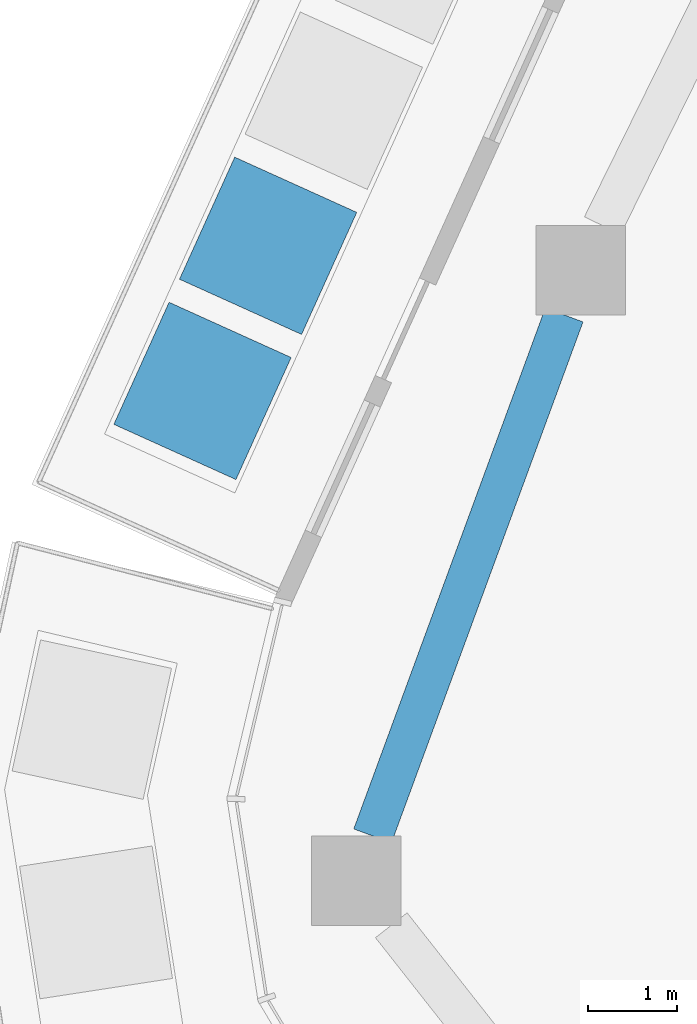
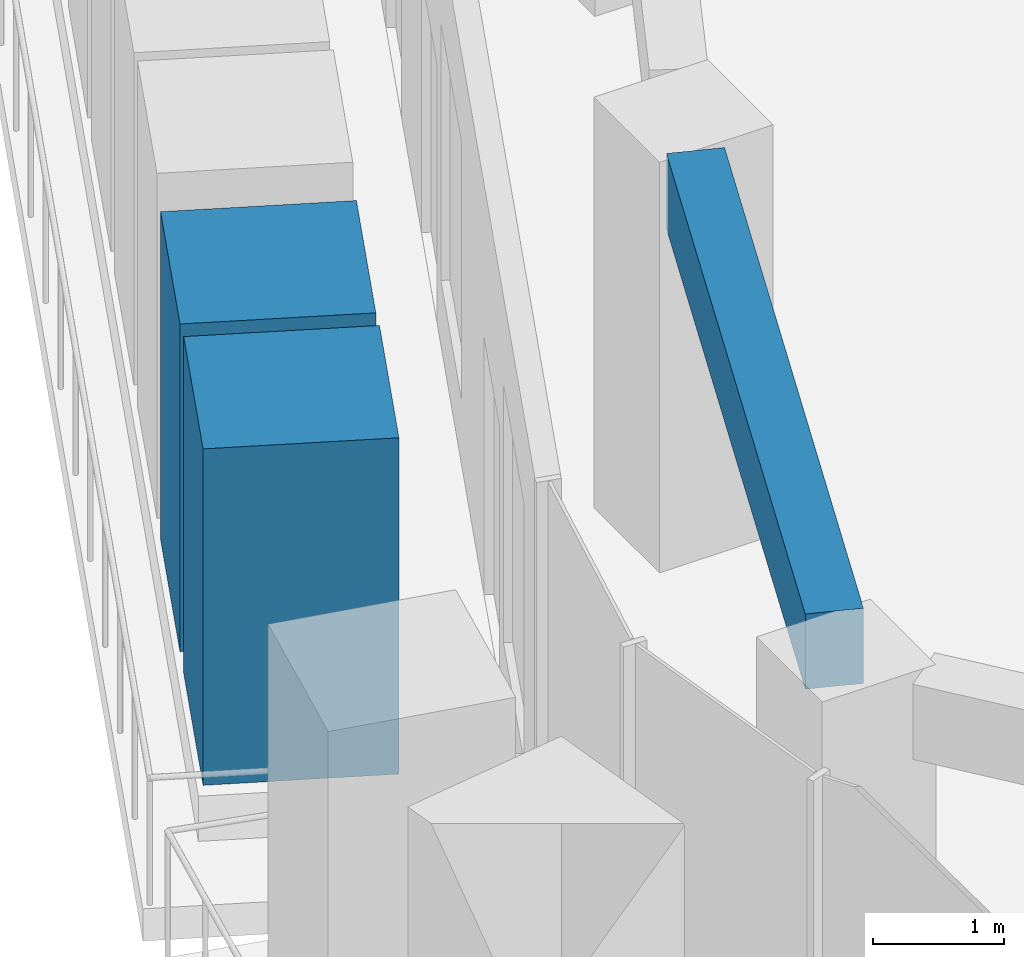
# One storey, part 3 of 23: 2 members, 1 beam.
"""IFC4 building model written with IfcOpenShell, lengths in metres."""

from ifc_helpers import new_model, si_unit, direction, frame, origin, origin_2d, place, context, subcontext, project, spatial, rectangle, extrude, material, material_profile, profile_set, type_object, element, save


model = new_model("IFC4")

# Units and contexts
model_context = context("Model", 3, precision=1e-05, world=origin(), true_north=direction((0.0, 1.0)))
body_context = subcontext(model_context, "Body", "Model", "MODEL_VIEW")
ifc_project = project(units=[si_unit("LENGTHUNIT", "METRE"), si_unit("AREAUNIT", "SQUARE_METRE"), si_unit("VOLUMEUNIT", "CUBIC_METRE"), si_unit("PLANEANGLEUNIT", "RADIAN"), si_unit("MASSUNIT", "GRAM", prefix="KILO")], contexts=[model_context])

# Site, building, storey
site_placement = place(None, origin())
site = spatial("IfcSite", under=ifc_project, at=site_placement, CompositionType="ELEMENT")
building_placement = place(site_placement, origin())
building = spatial("IfcBuilding", under=site, at=building_placement, Name="Dongbaek Canopy Tower", CompositionType="ELEMENT")
storey_placement = place(building_placement, frame((0.0, 0.0, 327.800048828125)))
storey = spatial("IfcBuildingStorey", under=building, at=storey_placement, Name="L70", CompositionType="ELEMENT", Elevation=327.800048828125)

# Beam
ifc_material_1 = material(Name="Concrete C60", Category="concrete")
ifc_material_profile_1 = material_profile(ifc_material_1, rectangle(XDim=0.449951171875, YDim=0.699951171875, at=origin_2d()), Name="RC EDGE BEAM 450x700 C60")
ifc_profile_set_1 = profile_set([ifc_material_profile_1], Name="Concrete C60")
beam_type = type_object("IfcBeamType", Name="RC EDGE BEAM 450x700 C60", PredefinedType="BEAM", material=ifc_profile_set_1)
beam_placement = place(storey_placement, frame((-30.945068359375, -6.2451171875, 3.469970703125), z_axis=(0.345138950659, 0.938551599401, 0.0), x_axis=(-0.938551599401, 0.345138950659, 0.0)))
element("IfcBeam", 1, at=beam_placement, inside=storey, type_object=beam_type, Name="EDGEBEAM:L70:08", PredefinedType="BEAM", context=body_context, shape_type="SweptSolid", body=[
    extrude(rectangle(XDim=0.449951171875, YDim=0.699951171875, at=origin_2d()), origin(), (0.0, 0.0, 1.0), 6.212890625),
])

# Members
ifc_material_2 = material(Name="Concrete C40/50 planter mass with planting", Category="concrete")
ifc_material_profile_2 = material_profile(ifc_material_2, rectangle(XDim=1.5, YDim=1.5, at=origin_2d()), Name="Terrace PLANTER shrub mass 1500 x 1500")
ifc_profile_set_2 = profile_set([ifc_material_profile_2], Name="Concrete C40/50 planter mass with planting")
member_type = type_object("IfcMemberType", Name="Terrace PLANTER shrub mass 1500 x 1500", PredefinedType="USERDEFINED", material=ifc_profile_set_2)
member_1_placement = place(storey_placement, frame((-32.1142578125, 0.35986328125, 0.419921875), z_axis=(0.0, 0.0, 1.0), x_axis=(-0.911128562459, 0.412122242389, 0.0)))
element("IfcMember", 2, at=member_1_placement, inside=storey, type_object=member_type, Name="Planter shrubs L70 2.11", ObjectType="PLANTER", PredefinedType="USERDEFINED", context=body_context, shape_type="SweptSolid", body=[
    extrude(rectangle(XDim=1.5, YDim=1.5, at=origin_2d()), origin(), (0.0, 0.0, 1.0), 3.050048828125),
])
member_2_placement = place(storey_placement, frame((-32.848876953125, -1.264404296875, 0.419921875), z_axis=(0.0, 0.0, 1.0), x_axis=(-0.911128562459, 0.412122242389, 0.0)))
element("IfcMember", 3, at=member_2_placement, inside=storey, type_object=member_type, Name="Planter shrubs L70 2.12", ObjectType="PLANTER", PredefinedType="USERDEFINED", context=body_context, shape_type="SweptSolid", body=[
    extrude(rectangle(XDim=1.5, YDim=1.5, at=origin_2d()), origin(), (0.0, 0.0, 1.0), 3.130126953125),
])

save(model, "model.ifc")
